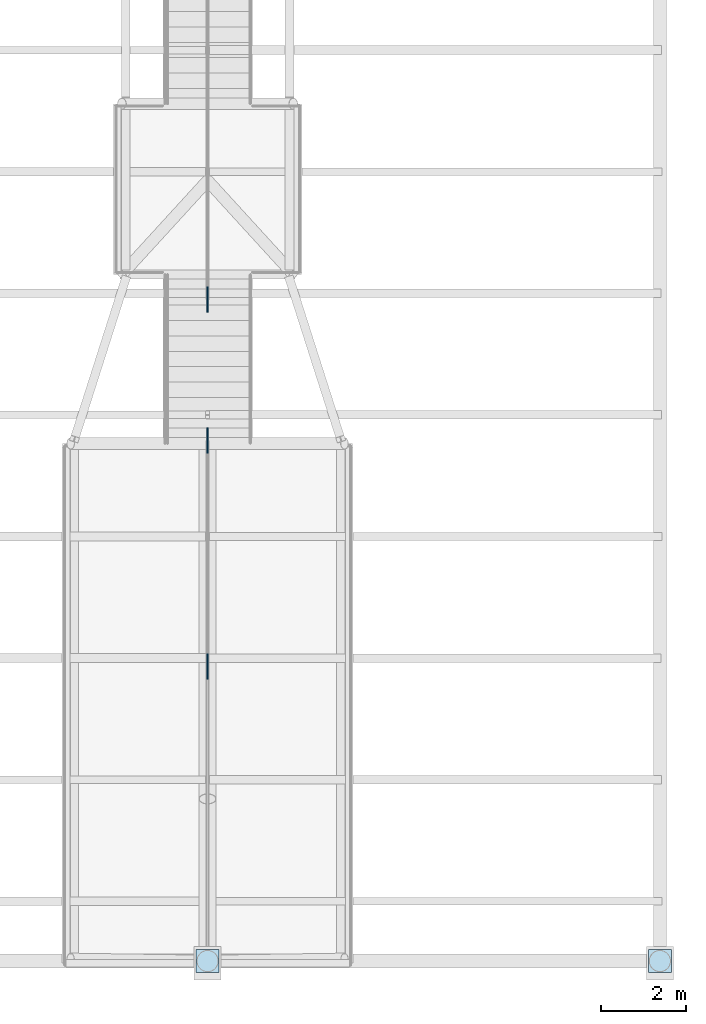
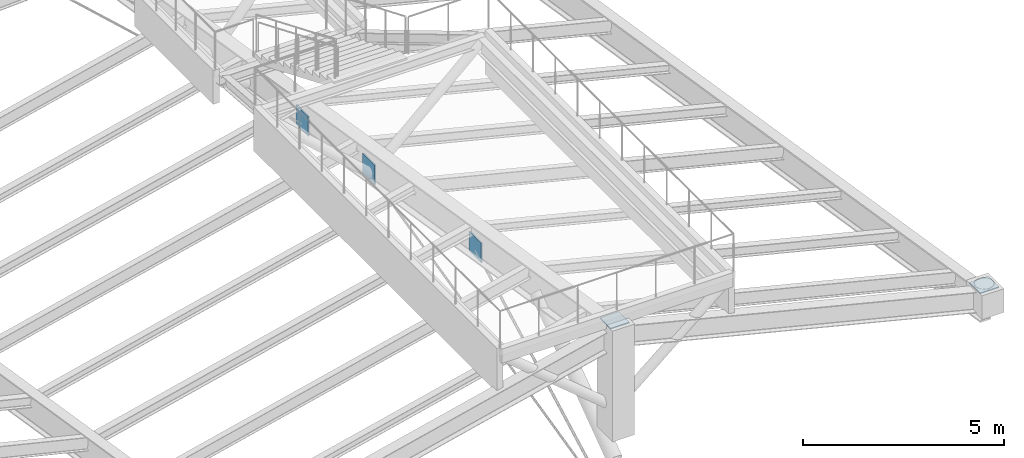
# One storey, part 21 of 43: 5 plates.
"""IFC4 building model written with IfcOpenShell, lengths in metres."""

from ifc_helpers import new_model, si_unit, direction, frame, origin, origin_2d, place, context, subcontext, project, spatial, rectangle, extrude, material, layer, layer_set, type_object, element, save


model = new_model("IFC4")

# Units and contexts
model_context = context("Model", 3, precision=1e-05, world=origin(), true_north=direction((0.0, 1.0)))
body_context = subcontext(model_context, "Body", "Model", "MODEL_VIEW")
ifc_project = project(units=[si_unit("LENGTHUNIT", "METRE"), si_unit("AREAUNIT", "SQUARE_METRE"), si_unit("VOLUMEUNIT", "CUBIC_METRE"), si_unit("PLANEANGLEUNIT", "RADIAN"), si_unit("MASSUNIT", "GRAM", prefix="KILO")], contexts=[model_context])

# Site, building, storey
site_placement = place(None, origin())
site = spatial("IfcSite", under=ifc_project, at=site_placement, CompositionType="ELEMENT")
building_placement = place(site_placement, origin())
building = spatial("IfcBuilding", under=site, at=building_placement, Name="Caurita Quay Ferry Terminal", CompositionType="ELEMENT")
storey_placement = place(building_placement, frame((0.0, 0.0, 14.10009765625)))
storey = spatial("IfcBuildingStorey", under=building, at=storey_placement, Name="L03", CompositionType="ELEMENT", Elevation=14.10009765625)

# Plates
ifc_material = material(Name="Structural plate steel ASTM A572 Gr. 50", Category="steel")
ifc_layer_1 = layer(ifc_material, 0.031982421875, Name="Structural steel connection plate 32 mm")
ifc_layer_set_1 = layer_set([ifc_layer_1], Name="Structural plate steel ASTM A572 Gr. 50")
plate_type_1 = type_object("IfcPlateType", Name="PLT-STL-32", PredefinedType="USERDEFINED", material=ifc_layer_set_1)
for number, where, z_axis, x_axis, name in (
    (1, (121.199951171875, 34.60009765625, 3.294921875), (0.0, 0.0, 1.0), (1.0, 0.0, 0.0), "Mast Top Cap Plate V2-04-S"),
    (2, (131.800048828125, 34.60009765625, 0.65478515625), (0.0, 0.0, 1.0), (1.0, 0.0, 0.0), "Mast Top Cap Plate V2-05-S"),
):
    element("IfcPlate", number, at=place(storey_placement, frame(where, z_axis=z_axis, x_axis=x_axis)), inside=storey, type_object=plate_type_1, Name=name, ObjectType="GUSSET PLATE", PredefinedType="USERDEFINED", context=body_context, shape_type="SweptSolid", body=[
        extrude(rectangle(XDim=0.5400390625, YDim=0.5400390625, at=origin_2d()), origin(), (0.0, 0.0, 1.0), 0.031982421875),
    ])
ifc_layer_2 = layer(ifc_material, 0.0400390625, Name="Structural steel connection plate 40 mm")
ifc_layer_set_2 = layer_set([ifc_layer_2], Name="Structural plate steel ASTM A572 Gr. 50")
plate_type_2 = type_object("IfcPlateType", Name="PLT-STL-40", PredefinedType="USERDEFINED", material=ifc_layer_set_2)
for number, where, z_axis, x_axis, name in (
    (3, (121.199951171875, 41.5, 1.05615234375), (0.0, 0.0, 1.0), (1.0, 0.0, 0.0), "Girder Stay-Cable Anchorage Gusset V2-04-S1"),
    (4, (121.199951171875, 46.800048828125, 0.208251953125), (0.0, 0.0, 1.0), (1.0, 0.0, 0.0), "Girder Stay-Cable Anchorage Gusset V2-04-S2"),
    (5, (121.199951171875, 50.10009765625, -0.31982421875), (0.0, 0.0, 1.0), (1.0, 0.0, 0.0), "Girder Stay-Cable Anchorage Gusset V2-04-N2"),
):
    element("IfcPlate", number, at=place(storey_placement, frame(where, z_axis=z_axis, x_axis=x_axis)), inside=storey, type_object=plate_type_2, Name=name, ObjectType="GUSSET PLATE", PredefinedType="USERDEFINED", context=body_context, shape_type="SweptSolid", body=[
        extrude(rectangle(XDim=0.0400390625, YDim=0.60009765625, at=origin_2d()), origin(), (0.0, 0.0, 1.0), 0.60009765625),
    ])

save(model, "model.ifc")
